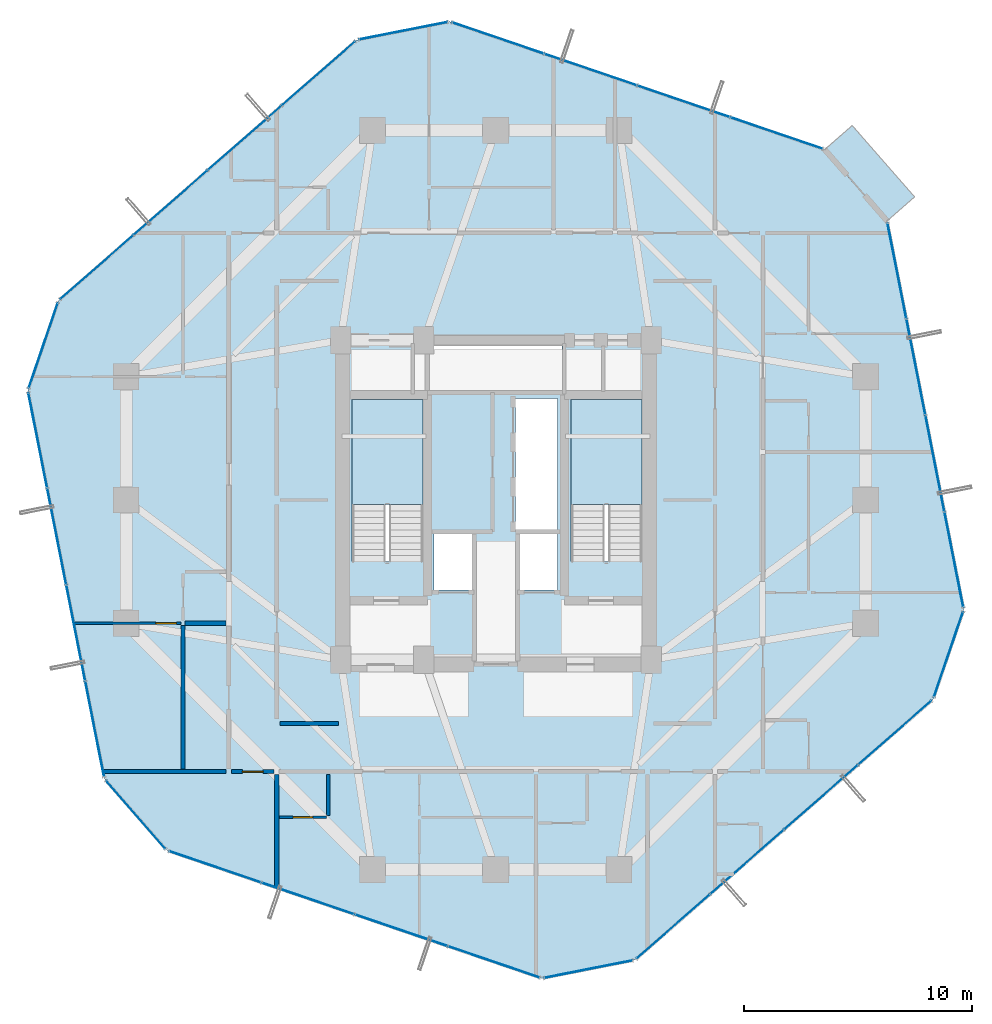
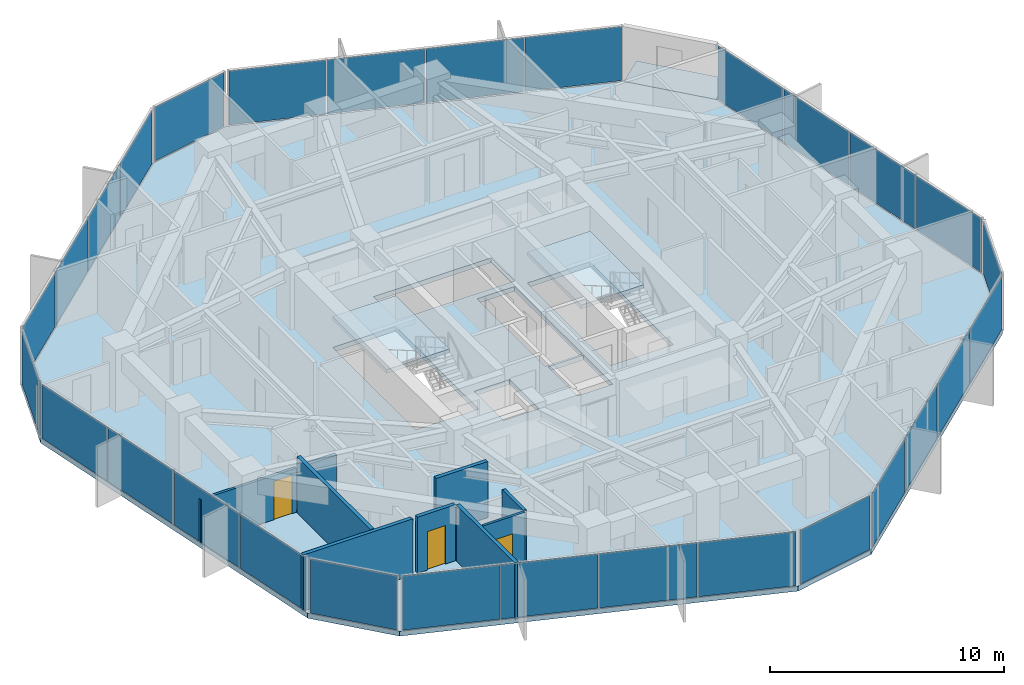
# One storey, part 30 of 36: 29 plates, 9 walls, 4 slabs, 3 doors, 3 openings, 13 elements without a shape of their own.
"""IFC4 building model written with IfcOpenShell, lengths in metres."""

from ifc_helpers import new_model, si_unit, direction, frame, frame_2d, origin, origin_2d, place, context, subcontext, project, spatial, polyline, rectangle, outline, extrude, source, transform, mapped, material, layer, layer_set, type_object, element, fill, aggregate, save


model = new_model("IFC4")

# Units and contexts
model_context = context("Model", 3, precision=1e-05, world=origin(), true_north=direction((0.0, 1.0)))
body_context = subcontext(model_context, "Body", "Model", "MODEL_VIEW")
ifc_project = project(units=[si_unit("LENGTHUNIT", "METRE"), si_unit("AREAUNIT", "SQUARE_METRE"), si_unit("VOLUMEUNIT", "CUBIC_METRE"), si_unit("PLANEANGLEUNIT", "RADIAN"), si_unit("MASSUNIT", "GRAM", prefix="KILO")], contexts=[model_context])

# Site, building, storey
site_placement = place(None, origin())
site = spatial("IfcSite", under=ifc_project, at=site_placement, CompositionType="ELEMENT")
building_placement = place(site_placement, origin())
building = spatial("IfcBuilding", under=site, at=building_placement, Name="Veraguas Prism Commons", CompositionType="ELEMENT")
storey_placement = place(building_placement, frame((0.0, 0.0, 166.300048828125)))
storey = spatial("IfcBuildingStorey", under=building, at=storey_placement, Name="L47", CompositionType="ELEMENT", Elevation=166.300048828125)

# Stair, slab
ifc_material_1 = material(Name="Precast concrete C45/55", Category="concrete")
stair_type = type_object("IfcStairType", Name="Dogleg Core Stair 1480W 20R 05", PredefinedType="HALF_TURN_STAIR", material=ifc_material_1)
stair_1_placement = place(storey_placement, origin())
stair_1 = element("IfcStair", 1, at=stair_1_placement, inside=storey, type_object=stair_type, Name="Protected Exit Stair ST-01 L47", PredefinedType="HALF_TURN_STAIR")
ifc_layer_1 = layer(ifc_material_1, 0.199951171875, Name="Precast Stair and Ramp Landing Slab 200", Category="concrete")
ifc_layer_set_1 = layer_set([ifc_layer_1], Name="Precast concrete C45/55")
slab_type_1 = type_object("IfcSlabType", Name="Precast Stair and Ramp Landing Slab 200", PredefinedType="LANDING", material=ifc_layer_set_1)
slab_1_placement = place(storey_placement, frame((0.0, 0.0, 1.425048828125)))
slab_1 = element("IfcSlab", 2, at=slab_1_placement, type_object=slab_type_1, Name="ST-05 Landing 1", PredefinedType="LANDING", context=body_context, shape_type="SweptSolid", body=[
    extrude(outline(polyline([(20.800048828125, 23.800048828125), (20.800048828125, 28.39990234375), (17.68994140625, 28.39990234375), (17.68994140625, 23.800048828125), (20.800048828125, 23.800048828125)])), origin(), (0.0, 0.0, 1.0), 0.199951171875),
])
aggregate(stair_1, [slab_1])

stair_2_placement = place(storey_placement, origin())
stair_2 = element("IfcStair", 3, at=stair_2_placement, inside=storey, type_object=stair_type, Name="Protected Exit Stair ST-02 L47", PredefinedType="HALF_TURN_STAIR")
slab_2_placement = place(storey_placement, frame((0.0, 0.0, 1.425048828125)))
slab_2 = element("IfcSlab", 4, at=slab_2_placement, type_object=slab_type_1, Name="ST-05 Landing 1", PredefinedType="LANDING", context=body_context, shape_type="SweptSolid", body=[
    extrude(outline(polyline([(30.39990234375, 23.800048828125), (30.39990234375, 28.39990234375), (27.2900390625, 28.39990234375), (27.2900390625, 23.800048828125), (30.39990234375, 23.800048828125)])), origin(), (0.0, 0.0, 1.0), 0.199951171875),
])
aggregate(stair_2, [slab_2])

# Slabs
ifc_material_2 = material(Name="Concrete C45/55", Category="concrete")
ifc_layer_2 = layer(ifc_material_2, 0.219970703125, Name="Recessed Loggia and Terrace Slab RC 220", Category="concrete")
ifc_layer_set_2 = layer_set([ifc_layer_2], Name="Concrete C45/55")
slab_type_2 = type_object("IfcSlabType", Name="Recessed Loggia and Terrace Slab RC 220", PredefinedType="FLOOR", material=ifc_layer_set_2)
slab_3_placement = place(storey_placement, frame((0.0, 0.0, -0.219970703125)))
element("IfcSlab", 5, at=slab_3_placement, inside=storey, type_object=slab_type_2, Name="Recessed Corner Loggia L47-C1", PredefinedType="FLOOR", context=body_context, shape_type="SweptSolid", body=[
    extrude(outline(polyline([(41.125244140625, 36.212646484375), (42.344970703125, 37.279052734375), (39.611328125, 40.40576171875), (38.3916015625, 39.33935546875), (41.125244140625, 36.212646484375)])), origin(), (0.0, 0.0, 1.0), 0.219970703125),
])
ifc_layer_3 = layer(ifc_material_2, 0.25, Name="Tower Lower Residential Floor Slab RC 250", Category="concrete")
ifc_layer_set_3 = layer_set([ifc_layer_3], Name="Concrete C45/55")
slab_type_3 = type_object("IfcSlabType", Name="Tower Lower Residential Floor Slab RC 250", PredefinedType="FLOOR", material=ifc_layer_set_3)
slab_4_placement = place(storey_placement, frame((0.0, 0.0, -0.25)))
element("IfcSlab", 6, at=slab_4_placement, inside=storey, type_object=slab_type_3, Name="Tower Floor Slab L47", PredefinedType="FLOOR", context=body_context, shape_type="SweptSolid", body=[
    extrude(outline(polyline([(41.140380859375, 36.225830078125), (38.40673828125, 39.3525390625), (21.982177734375, 44.956787109375), (17.90771484375, 44.153076171875), (4.842041015625, 32.73095703125), (3.500732421875, 28.80029296875), (6.859619140625, 11.774169921875), (9.59326171875, 8.6474609375), (26.017822265625, 3.043212890625), (30.09228515625, 3.846923828125), (43.157958984375, 15.26904296875), (44.499267578125, 19.19970703125), (41.140380859375, 36.225830078125)]), holes=[polyline([(20.800048828125, 21.31005859375), (20.800048828125, 28.39990234375), (17.68994140625, 28.39990234375), (17.68994140625, 21.31005859375), (20.800048828125, 21.31005859375)]), polyline([(30.39990234375, 21.31005859375), (30.39990234375, 28.39990234375), (27.2900390625, 28.39990234375), (27.2900390625, 21.31005859375), (30.39990234375, 21.31005859375)]), polyline([(24.85009765625, 22.64990234375), (26.699951171875, 22.64990234375), (26.699951171875, 28.449951171875), (24.85009765625, 28.449951171875), (24.85009765625, 22.64990234375)]), polyline([(21.10009765625, 28.800048828125), (26.89990234375, 28.800048828125), (26.89990234375, 30.800048828125), (21.10009765625, 30.800048828125), (21.10009765625, 28.800048828125)]), polyline([(21.300048828125, 20.050048828125), (23.050048828125, 20.050048828125), (23.050048828125, 22.550048828125), (21.300048828125, 22.550048828125), (21.300048828125, 20.050048828125)]), polyline([(24.949951171875, 20.050048828125), (26.699951171875, 20.050048828125), (26.699951171875, 22.550048828125), (24.949951171875, 22.550048828125), (24.949951171875, 20.050048828125)])]), origin(), (0.0, 0.0, 1.0), 0.25),
])

# Curtain wall, plates
ifc_material_3 = material(Name="Anodised aluminium EN AW-6063 T6", Category="aluminium")
ifc_layer_4 = layer(ifc_material_3, 0.169921875, Name="Unitised Flush Curtain Wall Zone 2", Category="aluminium")
ifc_layer_set_4 = layer_set([ifc_layer_4], Name="Anodised aluminium EN AW-6063 T6")
curtain_wall_type = type_object("IfcCurtainWallType", Name="Unitised Flush Curtain Wall Zone 2", PredefinedType="NOTDEFINED", material=ifc_layer_set_4)
curtain_wall_1_placement = place(storey_placement, origin())
curtain_wall_1 = element("IfcCurtainWall", 7, at=curtain_wall_1_placement, inside=storey, type_object=curtain_wall_type, Name="Tower Facade Curtain Wall L47-F1", PredefinedType="NOTDEFINED")
ifc_material_4 = material(Name="Laminated low-e glass", Category="glass")
ifc_layer_5 = layer(ifc_material_4, 0.028076171875, Name="Unitised Double Low-E Glazed Panel 28", Category="glass")
ifc_layer_set_5 = layer_set([ifc_layer_5], Name="Laminated low-e glass")
plate_type = type_object("IfcPlateType", Name="Unitised Double Low-E Glazed Panel 28", PredefinedType="CURTAIN_PANEL", material=ifc_layer_set_5)
shared_shape_1 = source(origin(), body_context, "Body", "SweptSolid", [
    extrude(rectangle(XDim=4.218505859375, YDim=0.028076171875, at=origin_2d()), origin(), (0.0, 0.0, 1.0), 2.820068359375),
])
plate_1_placement = place(storey_placement, frame((36.296875, 40.072509765625, 0.0546875), z_axis=(0.0, 0.0, 1.0), x_axis=(-0.946424609155, 0.322924850679, 0.0)))
plate_1 = element("IfcPlate", 8, at=plate_1_placement, type_object=plate_type, Name="CW-Z2 Panel 1.1", PredefinedType="CURTAIN_PANEL", context=body_context, shape_type="MappedRepresentation", body=[
    mapped(shared_shape_1, transform((0.0, 0.0, 0.0), scale=1.0)),
])
plate_2_placement = place(storey_placement, frame((24.092041015625, 44.23681640625, 0.0546875), z_axis=(0.0, 0.0, 1.0), x_axis=(-0.946424609155, 0.322924850679, 0.0)))
plate_2 = element("IfcPlate", 9, at=plate_2_placement, type_object=plate_type, Name="CW-Z2 Panel 4.1", PredefinedType="CURTAIN_PANEL", context=body_context, shape_type="MappedRepresentation", body=[
    mapped(shared_shape_1, transform((0.0, 0.0, 0.0), scale=1.0)),
])

curtain_wall_2_placement = place(storey_placement, origin())
curtain_wall_2 = element("IfcCurtainWall", 10, at=curtain_wall_2_placement, inside=storey, type_object=curtain_wall_type, Name="Tower Facade Curtain Wall L47-F2", PredefinedType="NOTDEFINED")
plate_3_placement = place(storey_placement, frame((16.229248046875, 42.685791015625, 0.0546875), z_axis=(0.0, 0.0, 1.0), x_axis=(-0.752872280062, -0.658166642967, 0.0)))
plate_3 = element("IfcPlate", 11, at=plate_3_placement, type_object=plate_type, Name="CW-Z2 Panel 1.1", PredefinedType="CURTAIN_PANEL", context=body_context, shape_type="MappedRepresentation", body=[
    mapped(shared_shape_1, transform((0.0, 0.0, 0.0), scale=1.0)),
])
plate_4_placement = place(storey_placement, frame((6.5205078125, 34.1982421875, 0.0546875), z_axis=(0.0, 0.0, 1.0), x_axis=(-0.752872280062, -0.658166642967, 0.0)))
plate_4 = element("IfcPlate", 12, at=plate_4_placement, type_object=plate_type, Name="CW-Z2 Panel 4.1", PredefinedType="CURTAIN_PANEL", context=body_context, shape_type="MappedRepresentation", body=[
    mapped(shared_shape_1, transform((0.0, 0.0, 0.0), scale=1.0)),
])

curtain_wall_3_placement = place(storey_placement, origin())
curtain_wall_3 = element("IfcCurtainWall", 13, at=curtain_wall_3_placement, inside=storey, type_object=curtain_wall_type, Name="Tower Facade Curtain Wall L47-F3", PredefinedType="NOTDEFINED")
plate_5_placement = place(storey_placement, frame((3.932373046875, 26.61328125, 0.0546875), z_axis=(0.0, 0.0, 1.0), x_axis=(0.193549468051, -0.981090517443, 0.0)))
plate_5 = element("IfcPlate", 14, at=plate_5_placement, type_object=plate_type, Name="CW-Z2 Panel 1.1", PredefinedType="CURTAIN_PANEL", context=body_context, shape_type="MappedRepresentation", body=[
    mapped(shared_shape_1, transform((0.0, 0.0, 0.0), scale=1.0)),
])
plate_6_placement = place(storey_placement, frame((6.42822265625, 13.961181640625, 0.0546875), z_axis=(0.0, 0.0, 1.0), x_axis=(0.193549468051, -0.981090517443, 0.0)))
plate_6 = element("IfcPlate", 15, at=plate_6_placement, type_object=plate_type, Name="CW-Z2 Panel 4.1", PredefinedType="CURTAIN_PANEL", context=body_context, shape_type="MappedRepresentation", body=[
    mapped(shared_shape_1, transform((0.0, 0.0, 0.0), scale=1.0)),
])

curtain_wall_4_placement = place(storey_placement, origin())
curtain_wall_4 = element("IfcCurtainWall", 16, at=curtain_wall_4_placement, inside=storey, type_object=curtain_wall_type, Name="Tower Facade Curtain Wall L47-F4", PredefinedType="NOTDEFINED")
plate_7_placement = place(storey_placement, frame((11.703125, 7.927490234375, 0.0546875), z_axis=(0.0, 0.0, 1.0), x_axis=(0.946424609155, -0.322924850679, 0.0)))
plate_7 = element("IfcPlate", 17, at=plate_7_placement, type_object=plate_type, Name="CW-Z2 Panel 1.1", PredefinedType="CURTAIN_PANEL", context=body_context, shape_type="MappedRepresentation", body=[
    mapped(shared_shape_1, transform((0.0, 0.0, 0.0), scale=1.0)),
])
plate_8_placement = place(storey_placement, frame((23.907958984375, 3.76318359375, 0.0546875), z_axis=(0.0, 0.0, 1.0), x_axis=(0.946424609155, -0.322924850679, 0.0)))
plate_8 = element("IfcPlate", 18, at=plate_8_placement, type_object=plate_type, Name="CW-Z2 Panel 4.1", PredefinedType="CURTAIN_PANEL", context=body_context, shape_type="MappedRepresentation", body=[
    mapped(shared_shape_1, transform((0.0, 0.0, 0.0), scale=1.0)),
])

curtain_wall_5_placement = place(storey_placement, origin())
curtain_wall_5 = element("IfcCurtainWall", 19, at=curtain_wall_5_placement, inside=storey, type_object=curtain_wall_type, Name="Tower Facade Curtain Wall L47-F5", PredefinedType="NOTDEFINED")
plate_9_placement = place(storey_placement, frame((31.770751953125, 5.314208984375, 0.0546875), z_axis=(0.0, 0.0, 1.0), x_axis=(0.752872280062, 0.658166642967, 0.0)))
plate_9 = element("IfcPlate", 20, at=plate_9_placement, type_object=plate_type, Name="CW-Z2 Panel 1.1", PredefinedType="CURTAIN_PANEL", context=body_context, shape_type="MappedRepresentation", body=[
    mapped(shared_shape_1, transform((0.0, 0.0, 0.0), scale=1.0)),
])
plate_10_placement = place(storey_placement, frame((41.4794921875, 13.8017578125, 0.0546875), z_axis=(0.0, 0.0, 1.0), x_axis=(0.752872280062, 0.658166642967, 0.0)))
plate_10 = element("IfcPlate", 21, at=plate_10_placement, type_object=plate_type, Name="CW-Z2 Panel 4.1", PredefinedType="CURTAIN_PANEL", context=body_context, shape_type="MappedRepresentation", body=[
    mapped(shared_shape_1, transform((0.0, 0.0, 0.0), scale=1.0)),
])

curtain_wall_6_placement = place(storey_placement, origin())
curtain_wall_6 = element("IfcCurtainWall", 22, at=curtain_wall_6_placement, inside=storey, type_object=curtain_wall_type, Name="Tower Facade Curtain Wall L47-F6", PredefinedType="NOTDEFINED")
plate_11_placement = place(storey_placement, frame((44.067626953125, 21.38671875, 0.0546875), z_axis=(0.0, 0.0, 1.0), x_axis=(-0.193549468051, 0.981090517443, 0.0)))
plate_11 = element("IfcPlate", 23, at=plate_11_placement, type_object=plate_type, Name="CW-Z2 Panel 1.1", PredefinedType="CURTAIN_PANEL", context=body_context, shape_type="MappedRepresentation", body=[
    mapped(shared_shape_1, transform((0.0, 0.0, 0.0), scale=1.0)),
])
plate_12_placement = place(storey_placement, frame((41.57177734375, 34.038818359375, 0.0546875), z_axis=(0.0, 0.0, 1.0), x_axis=(-0.193549468051, 0.981090517443, 0.0)))
plate_12 = element("IfcPlate", 24, at=plate_12_placement, type_object=plate_type, Name="CW-Z2 Panel 4.1", PredefinedType="CURTAIN_PANEL", context=body_context, shape_type="MappedRepresentation", body=[
    mapped(shared_shape_1, transform((0.0, 0.0, 0.0), scale=1.0)),
])

# Plate
shared_shape_2 = source(origin(), body_context, "Body", "SweptSolid", [
    extrude(rectangle(XDim=4.24853515625, YDim=0.028076171875, at=origin_2d()), origin(), (0.0, 0.0, 1.0), 2.820068359375),
])
plate_13_placement = place(storey_placement, frame((32.2333984375, 41.458984375, 0.0546875), z_axis=(0.0, 0.0, 1.0), x_axis=(-0.946424609155, 0.322924850679, 0.0)))
plate_13 = element("IfcPlate", 25, at=plate_13_placement, type_object=plate_type, Name="CW-Z2 Panel 2.1", PredefinedType="CURTAIN_PANEL", context=body_context, shape_type="MappedRepresentation", body=[
    mapped(shared_shape_2, transform((0.0, 0.0, 0.0), scale=1.0)),
])

plate_14_placement = place(storey_placement, frame((28.155517578125, 42.850341796875, 0.0546875), z_axis=(0.0, 0.0, 1.0), x_axis=(-0.946424609155, 0.322924850679, 0.0)))
plate_14 = element("IfcPlate", 26, at=plate_14_placement, type_object=plate_type, Name="CW-Z2 Panel 3.1", PredefinedType="CURTAIN_PANEL", context=body_context, shape_type="MappedRepresentation", body=[
    mapped(shared_shape_2, transform((0.0, 0.0, 0.0), scale=1.0)),
])

aggregate(curtain_wall_1, [plate_1, plate_13, plate_14, plate_2])

plate_15_placement = place(storey_placement, frame((12.99658203125, 39.85986328125, 0.0546875), z_axis=(0.0, 0.0, 1.0), x_axis=(-0.752872280062, -0.658166642967, 0.0)))
plate_15 = element("IfcPlate", 27, at=plate_15_placement, type_object=plate_type, Name="CW-Z2 Panel 2.1", PredefinedType="CURTAIN_PANEL", context=body_context, shape_type="MappedRepresentation", body=[
    mapped(shared_shape_2, transform((0.0, 0.0, 0.0), scale=1.0)),
])

plate_16_placement = place(storey_placement, frame((9.7529296875, 37.024169921875, 0.0546875), z_axis=(0.0, 0.0, 1.0), x_axis=(-0.752872280062, -0.658166642967, 0.0)))
plate_16 = element("IfcPlate", 28, at=plate_16_placement, type_object=plate_type, Name="CW-Z2 Panel 3.1", PredefinedType="CURTAIN_PANEL", context=body_context, shape_type="MappedRepresentation", body=[
    mapped(shared_shape_2, transform((0.0, 0.0, 0.0), scale=1.0)),
])

aggregate(curtain_wall_2, [plate_3, plate_15, plate_16, plate_4])

plate_17_placement = place(storey_placement, frame((4.76318359375, 22.40087890625, 0.0546875), z_axis=(0.0, 0.0, 1.0), x_axis=(0.193549468051, -0.981090517443, 0.0)))
plate_17 = element("IfcPlate", 29, at=plate_17_placement, type_object=plate_type, Name="CW-Z2 Panel 2.1", PredefinedType="CURTAIN_PANEL", context=body_context, shape_type="MappedRepresentation", body=[
    mapped(shared_shape_2, transform((0.0, 0.0, 0.0), scale=1.0)),
])

plate_18_placement = place(storey_placement, frame((5.59716796875, 18.173583984375, 0.0546875), z_axis=(0.0, 0.0, 1.0), x_axis=(0.193549468051, -0.981090517443, 0.0)))
plate_18 = element("IfcPlate", 30, at=plate_18_placement, type_object=plate_type, Name="CW-Z2 Panel 3.1", PredefinedType="CURTAIN_PANEL", context=body_context, shape_type="MappedRepresentation", body=[
    mapped(shared_shape_2, transform((0.0, 0.0, 0.0), scale=1.0)),
])

aggregate(curtain_wall_3, [plate_5, plate_17, plate_18, plate_6])

plate_19_placement = place(storey_placement, frame((15.7666015625, 6.541015625, 0.0546875), z_axis=(0.0, 0.0, 1.0), x_axis=(0.946424609155, -0.322924850679, 0.0)))
plate_19 = element("IfcPlate", 31, at=plate_19_placement, type_object=plate_type, Name="CW-Z2 Panel 2.1", PredefinedType="CURTAIN_PANEL", context=body_context, shape_type="MappedRepresentation", body=[
    mapped(shared_shape_2, transform((0.0, 0.0, 0.0), scale=1.0)),
])

plate_20_placement = place(storey_placement, frame((19.844482421875, 5.149658203125, 0.0546875), z_axis=(0.0, 0.0, 1.0), x_axis=(0.946424609155, -0.322924850679, 0.0)))
plate_20 = element("IfcPlate", 32, at=plate_20_placement, type_object=plate_type, Name="CW-Z2 Panel 3.1", PredefinedType="CURTAIN_PANEL", context=body_context, shape_type="MappedRepresentation", body=[
    mapped(shared_shape_2, transform((0.0, 0.0, 0.0), scale=1.0)),
])

aggregate(curtain_wall_4, [plate_7, plate_19, plate_20, plate_8])

plate_21_placement = place(storey_placement, frame((35.00341796875, 8.14013671875, 0.0546875), z_axis=(0.0, 0.0, 1.0), x_axis=(0.752872280062, 0.658166642967, 0.0)))
plate_21 = element("IfcPlate", 33, at=plate_21_placement, type_object=plate_type, Name="CW-Z2 Panel 2.1", PredefinedType="CURTAIN_PANEL", context=body_context, shape_type="MappedRepresentation", body=[
    mapped(shared_shape_2, transform((0.0, 0.0, 0.0), scale=1.0)),
])

plate_22_placement = place(storey_placement, frame((38.2470703125, 10.975830078125, 0.0546875), z_axis=(0.0, 0.0, 1.0), x_axis=(0.752872280062, 0.658166642967, 0.0)))
plate_22 = element("IfcPlate", 34, at=plate_22_placement, type_object=plate_type, Name="CW-Z2 Panel 3.1", PredefinedType="CURTAIN_PANEL", context=body_context, shape_type="MappedRepresentation", body=[
    mapped(shared_shape_2, transform((0.0, 0.0, 0.0), scale=1.0)),
])

aggregate(curtain_wall_5, [plate_9, plate_21, plate_22, plate_10])

plate_23_placement = place(storey_placement, frame((43.23681640625, 25.59912109375, 0.0546875), z_axis=(0.0, 0.0, 1.0), x_axis=(-0.193549468051, 0.981090517443, 0.0)))
plate_23 = element("IfcPlate", 35, at=plate_23_placement, type_object=plate_type, Name="CW-Z2 Panel 2.1", PredefinedType="CURTAIN_PANEL", context=body_context, shape_type="MappedRepresentation", body=[
    mapped(shared_shape_2, transform((0.0, 0.0, 0.0), scale=1.0)),
])

plate_24_placement = place(storey_placement, frame((42.40283203125, 29.826416015625, 0.0546875), z_axis=(0.0, 0.0, 1.0), x_axis=(-0.193549468051, 0.981090517443, 0.0)))
plate_24 = element("IfcPlate", 36, at=plate_24_placement, type_object=plate_type, Name="CW-Z2 Panel 3.1", PredefinedType="CURTAIN_PANEL", context=body_context, shape_type="MappedRepresentation", body=[
    mapped(shared_shape_2, transform((0.0, 0.0, 0.0), scale=1.0)),
])

aggregate(curtain_wall_6, [plate_11, plate_23, plate_24, plate_12])

# Curtain wall, plate
curtain_wall_7_placement = place(storey_placement, origin())
curtain_wall_7 = element("IfcCurtainWall", 37, at=curtain_wall_7_placement, inside=storey, type_object=curtain_wall_type, Name="Chamfer Curtain Wall L47-C2", PredefinedType="NOTDEFINED")
shared_shape_3 = source(origin(), body_context, "Body", "SweptSolid", [
    extrude(rectangle(XDim=3.9130859375, YDim=0.028076171875, at=origin_2d()), origin(), (0.0, 0.0, 1.0), 2.820068359375),
])
plate_25_placement = place(storey_placement, frame((19.94482421875, 44.554931640625, 0.0546875), z_axis=(0.0, 0.0, 1.0), x_axis=(-0.981090517443, -0.193549468051, 0.0)))
plate_25 = element("IfcPlate", 38, at=plate_25_placement, type_object=plate_type, Name="CW-Z2 Panel 1.1", PredefinedType="CURTAIN_PANEL", context=body_context, shape_type="MappedRepresentation", body=[
    mapped(shared_shape_3, transform((0.0, 0.0, 0.0), scale=1.0)),
])
aggregate(curtain_wall_7, [plate_25])

curtain_wall_8_placement = place(storey_placement, origin())
curtain_wall_8 = element("IfcCurtainWall", 39, at=curtain_wall_8_placement, inside=storey, type_object=curtain_wall_type, Name="Chamfer Curtain Wall L47-C3", PredefinedType="NOTDEFINED")
plate_26_placement = place(storey_placement, frame((4.17138671875, 30.765625, 0.0546875), z_axis=(0.0, 0.0, 1.0), x_axis=(-0.322929806142, -0.946422918311, 0.0)))
plate_26 = element("IfcPlate", 40, at=plate_26_placement, type_object=plate_type, Name="CW-Z2 Panel 1.1", PredefinedType="CURTAIN_PANEL", context=body_context, shape_type="MappedRepresentation", body=[
    mapped(shared_shape_3, transform((0.0, 0.0, 0.0), scale=1.0)),
])
aggregate(curtain_wall_8, [plate_26])

curtain_wall_9_placement = place(storey_placement, origin())
curtain_wall_9 = element("IfcCurtainWall", 41, at=curtain_wall_9_placement, inside=storey, type_object=curtain_wall_type, Name="Chamfer Curtain Wall L47-C4", PredefinedType="NOTDEFINED")
plate_27_placement = place(storey_placement, frame((8.2265625, 10.210693359375, 0.0546875), z_axis=(0.0, 0.0, 1.0), x_axis=(0.658186352891, -0.752855049042, 0.0)))
plate_27 = element("IfcPlate", 42, at=plate_27_placement, type_object=plate_type, Name="CW-Z2 Panel 1.1", PredefinedType="CURTAIN_PANEL", context=body_context, shape_type="MappedRepresentation", body=[
    mapped(shared_shape_3, transform((0.0, 0.0, 0.0), scale=1.0)),
])
aggregate(curtain_wall_9, [plate_27])

curtain_wall_10_placement = place(storey_placement, origin())
curtain_wall_10 = element("IfcCurtainWall", 43, at=curtain_wall_10_placement, inside=storey, type_object=curtain_wall_type, Name="Chamfer Curtain Wall L47-C5", PredefinedType="NOTDEFINED")
plate_28_placement = place(storey_placement, frame((28.05517578125, 3.445068359375, 0.0546875), z_axis=(0.0, 0.0, 1.0), x_axis=(0.981090517443, 0.193549468051, 0.0)))
plate_28 = element("IfcPlate", 44, at=plate_28_placement, type_object=plate_type, Name="CW-Z2 Panel 1.1", PredefinedType="CURTAIN_PANEL", context=body_context, shape_type="MappedRepresentation", body=[
    mapped(shared_shape_3, transform((0.0, 0.0, 0.0), scale=1.0)),
])
aggregate(curtain_wall_10, [plate_28])

curtain_wall_11_placement = place(storey_placement, origin())
curtain_wall_11 = element("IfcCurtainWall", 45, at=curtain_wall_11_placement, inside=storey, type_object=curtain_wall_type, Name="Chamfer Curtain Wall L47-C6", PredefinedType="NOTDEFINED")
plate_29_placement = place(storey_placement, frame((43.82861328125, 17.234375, 0.0546875), z_axis=(0.0, 0.0, 1.0), x_axis=(0.322929806142, 0.946422918311, 0.0)))
plate_29 = element("IfcPlate", 46, at=plate_29_placement, type_object=plate_type, Name="CW-Z2 Panel 1.1", PredefinedType="CURTAIN_PANEL", context=body_context, shape_type="MappedRepresentation", body=[
    mapped(shared_shape_3, transform((0.0, 0.0, 0.0), scale=1.0)),
])
aggregate(curtain_wall_11, [plate_29])

# Walls
ifc_material_5 = material(Name="Autoclaved aerated masonry block 10 MPa", Category="masonry")
ifc_layer_6 = layer(ifc_material_5, 0.179931640625, Name="Corridor and Inter-Tenancy Partition 180", Category="masonry")
ifc_layer_set_6 = layer_set([ifc_layer_6], Name="Autoclaved aerated masonry block 10 MPa")
wall_type_1 = type_object("IfcWallType", Name="Corridor and Inter-Tenancy Partition 180", PredefinedType="PARTITIONING", material=ifc_layer_set_6)
wall_1_placement = place(storey_placement, frame((14.550048828125, 14.199951171875, 0.0), z_axis=(0.0, 0.0, 1.0), x_axis=(1.0, 0.0, 0.0)))
element("IfcWall", 47, at=wall_1_placement, inside=storey, type_object=wall_type_1, Name="WL-L47-IRWS", PredefinedType="PARTITIONING", context=body_context, shape_type="SweptSolid", body=[
    extrude(rectangle(XDim=2.550048828125, YDim=0.179931640625, at=frame_2d((1.27490234375, 0.0))), origin(), (0.0, 0.0, 1.0), 2.929931640625),
])
wall_2_placement = place(storey_placement, frame((14.39990234375, 11.97998046875, 0.0), z_axis=(0.0, 0.0, 1.0), x_axis=(0.0, -1.0, 0.0)))
element("IfcWall", 48, at=wall_2_placement, inside=storey, type_object=wall_type_1, Name="WL-L47-PT001", PredefinedType="PARTITIONING", context=body_context, shape_type="SweptSolid", body=[
    extrude(rectangle(XDim=5.00439453125, YDim=0.179931640625, at=frame_2d((2.502197265625, 0.0))), origin(), (0.0, 0.0, 1.0), 2.929931640625),
])
wall_3_placement = place(storey_placement, frame((12.179931640625, 12.10009765625, 0.0), z_axis=(0.0, 0.0, 1.0), x_axis=(-1.0, 0.0, 0.0)))
element("IfcWall", 49, at=wall_3_placement, inside=storey, type_object=wall_type_1, Name="WL-L47-PT027", PredefinedType="PARTITIONING", context=body_context, shape_type="SweptSolid", body=[
    extrude(rectangle(XDim=5.4150390625, YDim=0.179931640625, at=frame_2d((2.70751953125, 0.0))), origin(), (0.0, 0.0, 1.0), 2.929931640625),
])
wall_4_placement = place(storey_placement, frame((10.300048828125, 12.219970703125, 0.0), z_axis=(0.0, 0.0, 1.0), x_axis=(0.0, 1.0, 0.0)))
element("IfcWall", 50, at=wall_4_placement, inside=storey, type_object=wall_type_1, Name="WL-L47-PT031", PredefinedType="PARTITIONING", context=body_context, shape_type="SweptSolid", body=[
    extrude(rectangle(XDim=6.280029296875, YDim=0.179931640625, at=frame_2d((3.14013671875, 0.0))), origin(), (0.0, 0.0, 1.0), 2.929931640625),
])
wall_5_placement = place(storey_placement, frame((12.179931640625, 18.60009765625, 0.0), z_axis=(0.0, 0.0, 1.0), x_axis=(-1.0, 0.0, 0.0)))
element("IfcWall", 51, at=wall_5_placement, inside=storey, type_object=wall_type_1, Name="WL-L47-PT032", PredefinedType="PARTITIONING", context=body_context, shape_type="SweptSolid", body=[
    extrude(rectangle(XDim=1.800048828125, YDim=0.179931640625, at=frame_2d((0.89990234375, 0.0))), origin(), (0.0, 0.0, 1.0), 2.307861328125),
])

# Wall, opening, door
wall_6_placement = place(storey_placement, frame((12.419921875, 12.10009765625, 0.0), z_axis=(0.0, 0.0, 1.0), x_axis=(1.0, 0.0, 0.0)))
wall_6 = element("IfcWall", 52, at=wall_6_placement, inside=storey, type_object=wall_type_1, Name="WL-L47-PT054", PredefinedType="PARTITIONING", context=body_context, shape_type="SweptSolid", body=[
    extrude(rectangle(XDim=1.860107421875, YDim=0.179931640625, at=frame_2d((0.93017578125, 0.0))), origin(), (0.0, 0.0, 1.0), 2.929931640625),
])
opening_1_placement = place(wall_6_placement, frame((0.47998046875, 0.0, 0.0)))
opening_1 = element("IfcOpeningElement", 53, at=opening_1_placement, cuts=wall_6, Name="Opening DR-14", PredefinedType="OPENING", context=body_context, shape_type="SweptSolid", body=[
    extrude(rectangle(XDim=0.89990234375, YDim=2.010009765625, at=frame_2d((0.449951171875, 1.0048828125))), frame((0.0, 0.099853515625, 0.0), z_axis=(0.0, -1.0, 0.0), x_axis=(1.0, 0.0, 0.0)), (0.0, 0.0, 1.0), 0.199951171875),
])
ifc_material_6 = material(Name="Steel fire-rated door assembly", Category="steel")
door_type_1 = type_object("IfcDoorType", Name="Core Service Room Fire Door 900x2010", OperationType="NOTDEFINED", PredefinedType="DOOR", material=ifc_material_6)
shared_shape_4 = source(origin(), body_context, "Body", "SweptSolid", [
    extrude(rectangle(XDim=0.89990234375, YDim=2.010009765625, at=frame_2d((0.449951171875, 1.0048828125))), frame((0.0, 0.02490234375, 0.0), z_axis=(0.0, -1.0, 0.0), x_axis=(1.0, 0.0, 0.0)), (0.0, 0.0, 1.0), 0.050048828125),
])
door_1_placement = place(opening_1_placement, origin())
door_1 = element("IfcDoor", 54, at=door_1_placement, inside=storey, type_object=door_type_1, Name="Corner Study SW Door", OperationType="SINGLE_SWING_RIGHT", OverallHeight=2.010009765625, OverallWidth=0.89990234375, PredefinedType="DOOR", context=body_context, shape_type="MappedRepresentation", body=[
    mapped(shared_shape_4, transform((0.0, 0.0, 0.0), scale=1.0)),
])
fill(opening_1, door_1)

ifc_material_7 = material(Name="Lightweight acoustic gypsum board")
ifc_layer_7 = layer(ifc_material_7, 0.125, Name="Internal Apartment Room Partition 125")
ifc_layer_set_7 = layer_set([ifc_layer_7], Name="Lightweight acoustic gypsum board")
wall_type_2 = type_object("IfcWallType", Name="Internal Apartment Room Partition 125", PredefinedType="PARTITIONING", material=ifc_layer_set_7)
wall_7_placement = place(storey_placement, frame((14.52001953125, 10.10009765625, 0.0), z_axis=(0.0, 0.0, 1.0), x_axis=(1.0, 0.0, 0.0)))
wall_7 = element("IfcWall", 55, at=wall_7_placement, inside=storey, type_object=wall_type_2, Name="WL-L47-PT005", PredefinedType="PARTITIONING", context=body_context, shape_type="SweptSolid", body=[
    extrude(rectangle(XDim=2.050048828125, YDim=0.125, at=frame_2d((1.02490234375, 0.0))), origin(), (0.0, 0.0, 1.0), 2.929931640625),
])
opening_2_placement = place(wall_7_placement, frame((0.594970703125, 0.0, 0.0)))
opening_2 = element("IfcOpeningElement", 56, at=opening_2_placement, cuts=wall_7, Name="Opening DR-03", PredefinedType="OPENING", context=body_context, shape_type="SweptSolid", body=[
    extrude(rectangle(XDim=0.860107421875, YDim=2.010009765625, at=frame_2d((0.43017578125, 1.0048828125))), frame((0.0, 0.072509765625, 0.0), z_axis=(0.0, -1.0, 0.0), x_axis=(1.0, 0.0, 0.0)), (0.0, 0.0, 1.0), 0.14501953125),
])
ifc_material_8 = material(Name="Timber moisture-resistant leaf", Category="wood")
door_type_2 = type_object("IfcDoorType", Name="Internal Bathroom Door 860x2010", OperationType="NOTDEFINED", PredefinedType="DOOR", material=ifc_material_8)
shared_shape_5 = source(origin(), body_context, "Body", "SweptSolid", [
    extrude(rectangle(XDim=0.860107421875, YDim=2.010009765625, at=frame_2d((0.43017578125, 1.0048828125))), frame((0.0, 0.02490234375, 0.0), z_axis=(0.0, -1.0, 0.0), x_axis=(1.0, 0.0, 0.0)), (0.0, 0.0, 1.0), 0.050048828125),
])
door_2_placement = place(opening_2_placement, origin())
door_2 = element("IfcDoor", 57, at=door_2_placement, inside=storey, type_object=door_type_2, Name="Flat 47A Bathroom Door", OperationType="SINGLE_SWING_RIGHT", OverallHeight=2.010009765625, OverallWidth=0.860107421875, PredefinedType="DOOR", context=body_context, shape_type="MappedRepresentation", body=[
    mapped(shared_shape_5, transform((0.0, 0.0, 0.0), scale=1.0)),
])
fill(opening_2, door_2)

wall_8_placement = place(storey_placement, frame((10.199951171875, 18.60009765625, 0.0), z_axis=(0.0, 0.0, 1.0), x_axis=(-1.0, 0.0, 0.0)))
wall_8 = element("IfcWall", 58, at=wall_8_placement, inside=storey, type_object=wall_type_2, Name="WL-L47-PT033", PredefinedType="PARTITIONING", context=body_context, shape_type="SweptSolid", body=[
    extrude(rectangle(XDim=4.717529296875, YDim=0.125, at=frame_2d((2.35888671875, 0.0))), origin(), (0.0, 0.0, 1.0), 2.307861328125),
])
opening_3_placement = place(wall_8_placement, frame((0.199951171875, 0.0, 0.0)))
opening_3 = element("IfcOpeningElement", 59, at=opening_3_placement, cuts=wall_8, Name="Opening DR-02", PredefinedType="OPENING", context=body_context, shape_type="SweptSolid", body=[
    extrude(rectangle(XDim=0.89990234375, YDim=2.010009765625, at=frame_2d((0.449951171875, 1.0048828125))), frame((0.0, 0.072509765625, 0.0), z_axis=(0.0, -1.0, 0.0), x_axis=(1.0, 0.0, 0.0)), (0.0, 0.0, 1.0), 0.14501953125),
])
ifc_material_9 = material(Name="Timber solid core hardwood", Category="wood")
door_type_3 = type_object("IfcDoorType", Name="Internal Habitable Room Door 900x2010", OperationType="NOTDEFINED", PredefinedType="DOOR", material=ifc_material_9)
door_3_placement = place(opening_3_placement, origin())
door_3 = element("IfcDoor", 60, at=door_3_placement, inside=storey, type_object=door_type_3, Name="Flat 47D Bedroom 2 Door", OperationType="SINGLE_SWING_RIGHT", OverallHeight=2.010009765625, OverallWidth=0.89990234375, PredefinedType="DOOR", context=body_context, shape_type="MappedRepresentation", body=[
    mapped(shared_shape_4, transform((0.0, 0.0, 0.0), scale=1.0)),
])
fill(opening_3, door_3)

# Wall
ifc_layer_8 = layer(ifc_material_7, 0.14990234375, Name="Wet Room and Clinic Acoustic Partition 150")
ifc_layer_set_8 = layer_set([ifc_layer_8], Name="Lightweight acoustic gypsum board")
wall_type_3 = type_object("IfcWallType", Name="Wet Room and Clinic Acoustic Partition 150", PredefinedType="PARTITIONING", material=ifc_layer_set_8)
wall_9_placement = place(storey_placement, frame((16.64990234375, 11.97998046875, 0.0), z_axis=(0.0, 0.0, 1.0), x_axis=(0.0, -1.0, 0.0)))
element("IfcWall", 61, at=wall_9_placement, inside=storey, type_object=wall_type_3, Name="WL-L47-PT004", PredefinedType="PARTITIONING", context=body_context, shape_type="SweptSolid", body=[
    extrude(rectangle(XDim=1.800048828125, YDim=0.14990234375, at=frame_2d((0.89990234375, 0.0))), origin(), (0.0, 0.0, 1.0), 2.929931640625),
])

save(model, "model.ifc")
